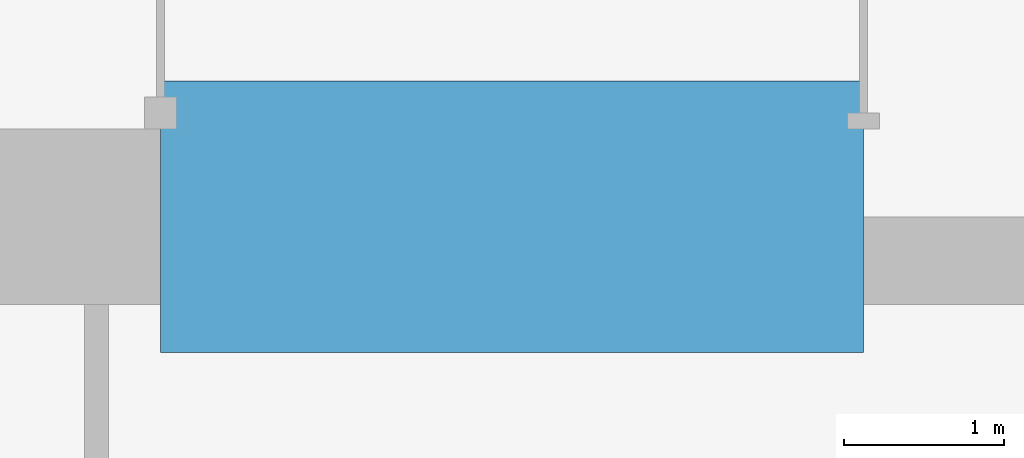
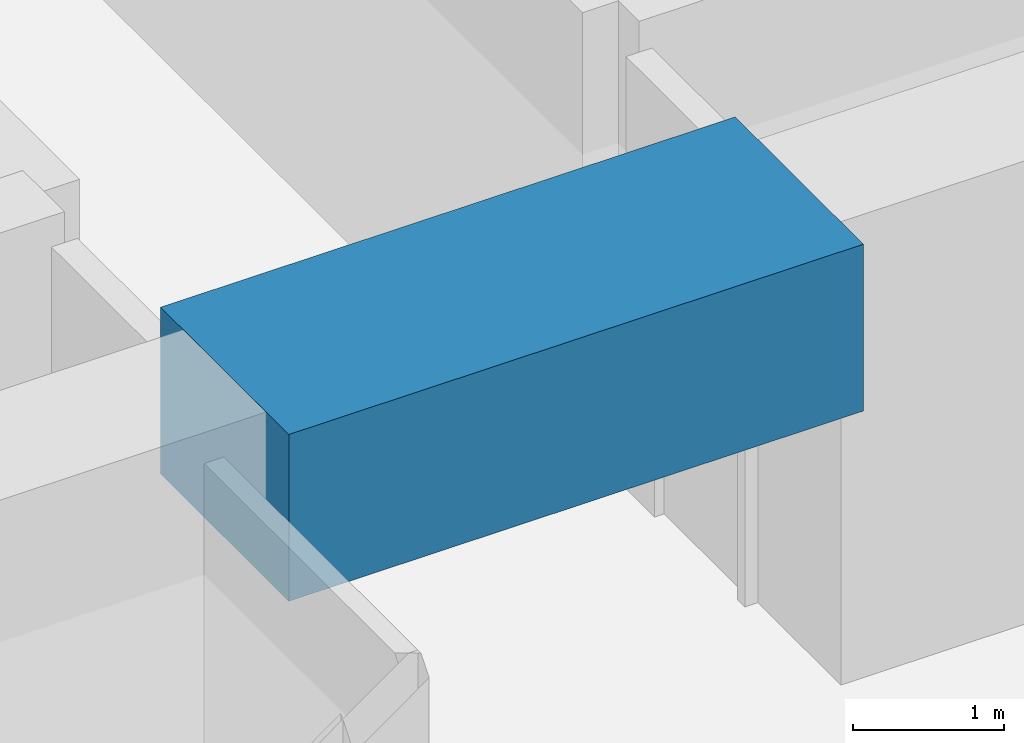
# One storey, part 13 of 42: 1 beam.
"""IFC4 building model written with IfcOpenShell, lengths in metres."""

from ifc_helpers import new_model, si_unit, direction, frame, origin, origin_2d, place, context, subcontext, project, spatial, rectangle, extrude, material, material_profile, profile_set, type_object, element, save


model = new_model("IFC4")

# Units and contexts
model_context = context("Model", 3, precision=1e-05, world=origin(), true_north=direction((0.0, 1.0)))
body_context = subcontext(model_context, "Body", "Model", "MODEL_VIEW")
ifc_project = project(units=[si_unit("LENGTHUNIT", "METRE"), si_unit("AREAUNIT", "SQUARE_METRE"), si_unit("VOLUMEUNIT", "CUBIC_METRE"), si_unit("PLANEANGLEUNIT", "RADIAN"), si_unit("MASSUNIT", "GRAM", prefix="KILO")], contexts=[model_context])

# Site, building, storey
site_placement = place(None, origin())
site = spatial("IfcSite", under=ifc_project, at=site_placement, CompositionType="ELEMENT")
building_placement = place(site_placement, origin())
building = spatial("IfcBuilding", under=site, at=building_placement, Name="Rekha Terrace Tower", CompositionType="ELEMENT")
storey_placement = place(building_placement, frame((0.0, 0.0, 70.39990234375)))
storey = spatial("IfcBuildingStorey", under=building, at=storey_placement, Name="L17", CompositionType="ELEMENT", Elevation=70.39990234375)

# Beam
ifc_material = material(Name="Concrete M70", Category="concrete")
ifc_material_profile = material_profile(ifc_material, rectangle(XDim=1.699951171875, YDim=1.35009765625, at=origin_2d()), Name="RC 1700x1350")
ifc_profile_set = profile_set([ifc_material_profile], Name="Concrete M70")
beam_type = type_object("IfcBeamType", Name="LB1A 1700x1350 diagonally reinforced coupling beam", PredefinedType="LINTEL", material=ifc_profile_set)
beam_placement = place(storey_placement, frame((35.60009765625, 21.0, 3.0751953125), z_axis=(1.0, 0.0, 0.0), x_axis=(0.0, 1.0, 0.0)))
element("IfcBeam", 1, at=beam_placement, inside=storey, type_object=beam_type, Name="Coupling beam LB1A S L17", PredefinedType="LINTEL", context=body_context, shape_type="SweptSolid", body=[
    extrude(rectangle(XDim=1.699951171875, YDim=1.35009765625, at=origin_2d()), origin(), (0.0, 0.0, 1.0), 4.39990234375),
])

save(model, "model.ifc")
